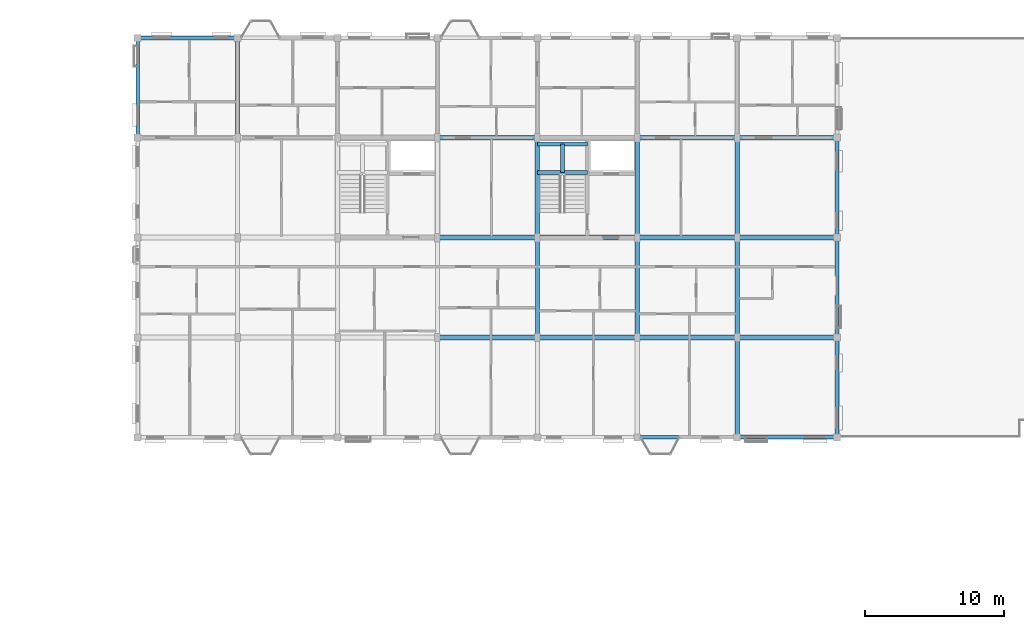
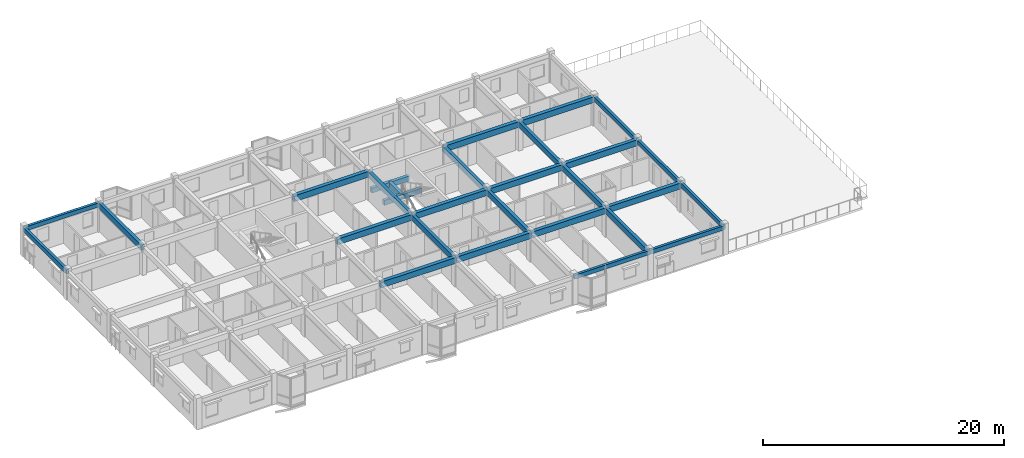
# One storey, part 31 of 64: 29 beams.
"""IFC4 building model written with IfcOpenShell, lengths in metres."""

from ifc_helpers import new_model, si_unit, direction, frame, origin, origin_2d, place, context, subcontext, project, spatial, rectangle, extrude, material, material_profile, profile_set, type_object, element, save


model = new_model("IFC4")

# Units and contexts
model_context = context("Model", 3, precision=1e-05, world=origin(), true_north=direction((0.0, 1.0)))
body_context = subcontext(model_context, "Body", "Model", "MODEL_VIEW")
ifc_project = project(units=[si_unit("LENGTHUNIT", "METRE"), si_unit("AREAUNIT", "SQUARE_METRE"), si_unit("VOLUMEUNIT", "CUBIC_METRE"), si_unit("PLANEANGLEUNIT", "RADIAN"), si_unit("MASSUNIT", "GRAM", prefix="KILO"), si_unit("THERMODYNAMICTEMPERATUREUNIT", "KELVIN"), si_unit("POWERUNIT", "WATT")], contexts=[model_context])

# Site, building, storey
site_placement = place(None, origin())
site = spatial("IfcSite", under=ifc_project, at=site_placement, CompositionType="ELEMENT")
building_placement = place(site_placement, origin())
building = spatial("IfcBuilding", under=site, at=building_placement, Name="Tavuni Mirador Residences", CompositionType="ELEMENT")
storey_placement = place(building_placement, frame((0.0, 0.0, 26.550048828125)))
storey = spatial("IfcBuildingStorey", under=building, at=storey_placement, Name="L08", CompositionType="ELEMENT", Elevation=26.550048828125)

# Beams
ifc_material = material(Name="Precast concrete C40/50", Category="concrete")
ifc_material_profile_1 = material_profile(ifc_material, rectangle(XDim=0.300048828125, YDim=0.5, at=origin_2d()), Name="PC 300x500", Category="concrete")
ifc_profile_set_1 = profile_set([ifc_material_profile_1], Name="Precast concrete C40/50")
beam_type_1 = type_object("IfcBeamType", Name="BT-B500", PredefinedType="BEAM", material=ifc_profile_set_1)
for number, where, z_axis, x_axis, name in (
    (1, (39.60009765625, 163.10009765625, 1.14501953125), (1.0, 0.0, 0.0), (0.0, 1.0, 0.0), "HLB1-C6-L08"),
    (2, (39.60009765625, 165.14990234375, 1.14501953125), (1.0, 0.0, 0.0), (0.0, 1.0, 0.0), "HLB2-C6-L08"),
):
    element("IfcBeam", number, at=place(storey_placement, frame(where, z_axis=z_axis, x_axis=x_axis)), inside=storey, type_object=beam_type_1, Name=name, PredefinedType="BEAM", context=body_context, shape_type="SweptSolid", body=[
        extrude(rectangle(XDim=0.300048828125, YDim=0.5, at=origin_2d()), origin(), (0.0, 0.0, 1.0), 3.599853515625),
    ])
beam_1_placement = place(storey_placement, frame((41.39990234375, 163.10009765625, 1.14501953125), z_axis=(0.0, 1.0, 0.0), x_axis=(-1.0, 0.0, 0.0)))
element("IfcBeam", 3, at=beam_1_placement, inside=storey, type_object=beam_type_1, Name="HLB3-C6-L08", PredefinedType="BEAM", context=body_context, shape_type="SweptSolid", body=[
    extrude(rectangle(XDim=0.300048828125, YDim=0.5, at=origin_2d()), origin(), (0.0, 0.0, 1.0), 2.0498046875),
])
ifc_material_profile_2 = material_profile(ifc_material, rectangle(XDim=0.300048828125, YDim=0.550048828125, at=origin_2d()), Name="PC 300x550", Category="concrete")
ifc_profile_set_2 = profile_set([ifc_material_profile_2], Name="Precast concrete C40/50")
beam_type_2 = type_object("IfcBeamType", Name="BT-B550", PredefinedType="BEAM", material=ifc_profile_set_2)
for number, where, z_axis, x_axis, name in (
    (4, (18.0, 165.60009765625, 2.60986328125), (0.0, 1.0, 0.0), (-1.0, 0.0, 0.0), "BMY-BLK-C-L08-01-03"),
    (5, (39.60009765625, 151.199951171875, 2.60986328125), (0.0, 1.0, 0.0), (-1.0, 0.0, 0.0), "BMY-BLK-C-L08-04-01"),
):
    element("IfcBeam", number, at=place(storey_placement, frame(where, z_axis=z_axis, x_axis=x_axis)), inside=storey, type_object=beam_type_2, Name=name, PredefinedType="BEAM", context=body_context, shape_type="SweptSolid", body=[
        extrude(rectangle(XDim=0.300048828125, YDim=0.550048828125, at=origin_2d()), origin(), (0.0, 0.0, 1.0), 7.199951171875),
    ])
beam_2_placement = place(storey_placement, frame((39.60009765625, 158.39990234375, 2.60986328125), z_axis=(0.0, 1.0, 0.0), x_axis=(-1.0, 0.0, 0.0)))
element("IfcBeam", 6, at=beam_2_placement, inside=storey, type_object=beam_type_2, Name="BMY-BLK-C-L08-04-02", PredefinedType="BEAM", context=body_context, shape_type="SweptSolid", body=[
    extrude(rectangle(XDim=0.300048828125, YDim=0.550048828125, at=origin_2d()), origin(), (0.0, 0.0, 1.0), 7.2001953125),
])
beam_3_placement = place(storey_placement, frame((46.800048828125, 151.199951171875, 2.60986328125), z_axis=(0.0, 1.0, 0.0), x_axis=(-1.0, 0.0, 0.0)))
element("IfcBeam", 7, at=beam_3_placement, inside=storey, type_object=beam_type_2, Name="BMY-BLK-C-L08-05-01", PredefinedType="BEAM", context=body_context, shape_type="SweptSolid", body=[
    extrude(rectangle(XDim=0.300048828125, YDim=0.550048828125, at=origin_2d()), origin(), (0.0, 0.0, 1.0), 7.199951171875),
])
beam_4_placement = place(storey_placement, frame((46.800048828125, 158.39990234375, 2.60986328125), z_axis=(0.0, 1.0, 0.0), x_axis=(-1.0, 0.0, 0.0)))
element("IfcBeam", 8, at=beam_4_placement, inside=storey, type_object=beam_type_2, Name="BMY-BLK-C-L08-05-02", PredefinedType="BEAM", context=body_context, shape_type="SweptSolid", body=[
    extrude(rectangle(XDim=0.300048828125, YDim=0.550048828125, at=origin_2d()), origin(), (0.0, 0.0, 1.0), 7.2001953125),
])
for number, where, z_axis, x_axis, name in (
    (9, (54.0, 144.0, 2.60986328125), (0.0, 1.0, 0.0), (-1.0, 0.0, 0.0), "BMY-BLK-C-L08-06-00"),
    (10, (54.0, 151.199951171875, 2.60986328125), (0.0, 1.0, 0.0), (-1.0, 0.0, 0.0), "BMY-BLK-C-L08-06-01"),
):
    element("IfcBeam", number, at=place(storey_placement, frame(where, z_axis=z_axis, x_axis=x_axis)), inside=storey, type_object=beam_type_2, Name=name, PredefinedType="BEAM", context=body_context, shape_type="SweptSolid", body=[
        extrude(rectangle(XDim=0.300048828125, YDim=0.550048828125, at=origin_2d()), origin(), (0.0, 0.0, 1.0), 7.199951171875),
    ])
beam_5_placement = place(storey_placement, frame((54.0, 158.39990234375, 2.60986328125), z_axis=(0.0, 1.0, 0.0), x_axis=(-1.0, 0.0, 0.0)))
element("IfcBeam", 11, at=beam_5_placement, inside=storey, type_object=beam_type_2, Name="BMY-BLK-C-L08-06-02", PredefinedType="BEAM", context=body_context, shape_type="SweptSolid", body=[
    extrude(rectangle(XDim=0.300048828125, YDim=0.550048828125, at=origin_2d()), origin(), (0.0, 0.0, 1.0), 7.2001953125),
])
ifc_material_profile_3 = material_profile(ifc_material, rectangle(XDim=0.35009765625, YDim=0.60009765625, at=origin_2d()), Name="PC 350x600", Category="concrete")
ifc_profile_set_3 = profile_set([ifc_material_profile_3], Name="Precast concrete C40/50")
beam_type_3 = type_object("IfcBeamType", Name="BT-B600", PredefinedType="BEAM", material=ifc_profile_set_3)
beam_6_placement = place(storey_placement, frame((32.39990234375, 151.199951171875, 2.5849609375), z_axis=(1.0, 0.0, 0.0), x_axis=(0.0, 1.0, 0.0)))
element("IfcBeam", 12, at=beam_6_placement, inside=storey, type_object=beam_type_3, Name="BMX-BLK-C-L08-03-01", PredefinedType="BEAM", context=body_context, shape_type="SweptSolid", body=[
    extrude(rectangle(XDim=0.35009765625, YDim=0.60009765625, at=origin_2d()), origin(), (0.0, 0.0, 1.0), 7.2001953125),
])
for number, where, z_axis, x_axis, name in (
    (13, (39.60009765625, 151.199951171875, 2.5849609375), (1.0, 0.0, 0.0), (0.0, 1.0, 0.0), "BMX-BLK-C-L08-04-01"),
    (14, (46.800048828125, 151.199951171875, 2.5849609375), (1.0, 0.0, 0.0), (0.0, 1.0, 0.0), "BMX-BLK-C-L08-05-01"),
    (15, (54.0, 151.199951171875, 2.5849609375), (1.0, 0.0, 0.0), (0.0, 1.0, 0.0), "BMX-BLK-C-L08-06-01"),
):
    element("IfcBeam", number, at=place(storey_placement, frame(where, z_axis=z_axis, x_axis=x_axis)), inside=storey, type_object=beam_type_3, Name=name, PredefinedType="BEAM", context=body_context, shape_type="SweptSolid", body=[
        extrude(rectangle(XDim=0.35009765625, YDim=0.60009765625, at=origin_2d()), origin(), (0.0, 0.0, 1.0), 7.199951171875),
    ])
beam_7_placement = place(storey_placement, frame((32.39990234375, 158.39990234375, 2.5849609375), z_axis=(1.0, 0.0, 0.0), x_axis=(0.0, 1.0, 0.0)))
element("IfcBeam", 16, at=beam_7_placement, inside=storey, type_object=beam_type_3, Name="BMX-BLK-C-L08-03-02", PredefinedType="BEAM", context=body_context, shape_type="SweptSolid", body=[
    extrude(rectangle(XDim=0.35009765625, YDim=0.60009765625, at=origin_2d()), origin(), (0.0, 0.0, 1.0), 7.2001953125),
])
for number, where, z_axis, x_axis, name in (
    (17, (39.60009765625, 158.39990234375, 2.5849609375), (1.0, 0.0, 0.0), (0.0, 1.0, 0.0), "BMX-BLK-C-L08-04-02"),
    (18, (46.800048828125, 158.39990234375, 2.5849609375), (1.0, 0.0, 0.0), (0.0, 1.0, 0.0), "BMX-BLK-C-L08-05-02"),
    (19, (54.0, 158.39990234375, 2.5849609375), (1.0, 0.0, 0.0), (0.0, 1.0, 0.0), "BMX-BLK-C-L08-06-02"),
):
    element("IfcBeam", number, at=place(storey_placement, frame(where, z_axis=z_axis, x_axis=x_axis)), inside=storey, type_object=beam_type_3, Name=name, PredefinedType="BEAM", context=body_context, shape_type="SweptSolid", body=[
        extrude(rectangle(XDim=0.35009765625, YDim=0.60009765625, at=origin_2d()), origin(), (0.0, 0.0, 1.0), 7.199951171875),
    ])
beam_8_placement = place(storey_placement, frame((32.39990234375, 165.60009765625, 2.5849609375), z_axis=(1.0, 0.0, 0.0), x_axis=(0.0, 1.0, 0.0)))
element("IfcBeam", 20, at=beam_8_placement, inside=storey, type_object=beam_type_3, Name="BMX-BLK-C-L08-03-03", PredefinedType="BEAM", context=body_context, shape_type="SweptSolid", body=[
    extrude(rectangle(XDim=0.35009765625, YDim=0.60009765625, at=origin_2d()), origin(), (0.0, 0.0, 1.0), 7.2001953125),
])
for number, where, z_axis, x_axis, name in (
    (21, (46.800048828125, 165.60009765625, 2.5849609375), (1.0, 0.0, 0.0), (0.0, 1.0, 0.0), "BMX-BLK-C-L08-05-03"),
    (22, (54.0, 165.60009765625, 2.5849609375), (1.0, 0.0, 0.0), (0.0, 1.0, 0.0), "BMX-BLK-C-L08-06-03"),
):
    element("IfcBeam", number, at=place(storey_placement, frame(where, z_axis=z_axis, x_axis=x_axis)), inside=storey, type_object=beam_type_3, Name=name, PredefinedType="BEAM", context=body_context, shape_type="SweptSolid", body=[
        extrude(rectangle(XDim=0.35009765625, YDim=0.60009765625, at=origin_2d()), origin(), (0.0, 0.0, 1.0), 7.199951171875),
    ])
ifc_material_profile_4 = material_profile(ifc_material, rectangle(XDim=0.25, YDim=0.419921875, at=origin_2d()), Name="PC 250x420", Category="concrete")
ifc_profile_set_4 = profile_set([ifc_material_profile_4], Name="Precast concrete C40/50")
beam_type_4 = type_object("IfcBeamType", Name="BT-SP420", PredefinedType="SPANDREL", material=ifc_profile_set_4)
for number, where, z_axis, x_axis, name in (
    (23, (46.800048828125, 144.0, 2.675048828125), (1.0, 0.0, 0.0), (0.0, 1.0, 0.0), "BMX-BLK-C-L08-05-00"),
    (24, (54.0, 144.0, 2.675048828125), (1.0, 0.0, 0.0), (0.0, 1.0, 0.0), "BMX-BLK-C-L08-06-00"),
    (25, (10.800048828125, 172.800048828125, 2.675048828125), (1.0, 0.0, 0.0), (0.0, 1.0, 0.0), "BMX-BLK-C-L08-00-04"),
    (26, (10.800048828125, 165.60009765625, 2.675048828125), (0.0, 1.0, 0.0), (-1.0, 0.0, 0.0), "BMY-BLK-C-L08-00-03"),
    (27, (61.199951171875, 144.0, 2.675048828125), (0.0, 1.0, 0.0), (-1.0, 0.0, 0.0), "BMY-BLK-C-L08-07-00"),
    (28, (61.199951171875, 151.199951171875, 2.675048828125), (0.0, 1.0, 0.0), (-1.0, 0.0, 0.0), "BMY-BLK-C-L08-07-01"),
):
    element("IfcBeam", number, at=place(storey_placement, frame(where, z_axis=z_axis, x_axis=x_axis)), inside=storey, type_object=beam_type_4, Name=name, PredefinedType="SPANDREL", context=body_context, shape_type="SweptSolid", body=[
        extrude(rectangle(XDim=0.25, YDim=0.419921875, at=origin_2d()), origin(), (0.0, 0.0, 1.0), 7.199951171875),
    ])
beam_9_placement = place(storey_placement, frame((61.199951171875, 158.39990234375, 2.675048828125), z_axis=(0.0, 1.0, 0.0), x_axis=(-1.0, 0.0, 0.0)))
element("IfcBeam", 29, at=beam_9_placement, inside=storey, type_object=beam_type_4, Name="BMY-BLK-C-L08-07-02", PredefinedType="SPANDREL", context=body_context, shape_type="SweptSolid", body=[
    extrude(rectangle(XDim=0.25, YDim=0.419921875, at=origin_2d()), origin(), (0.0, 0.0, 1.0), 7.2001953125),
])

save(model, "model.ifc")
